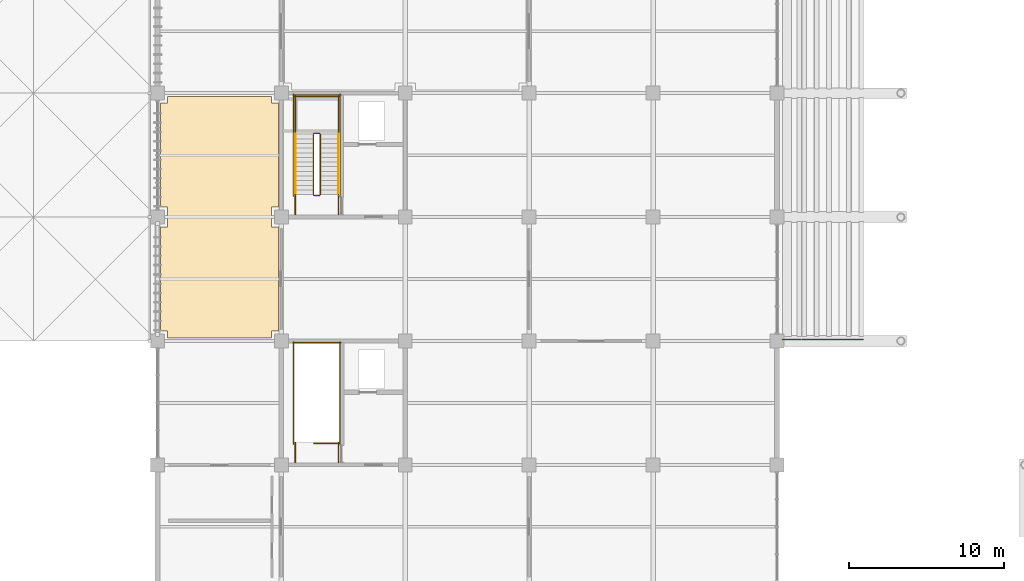
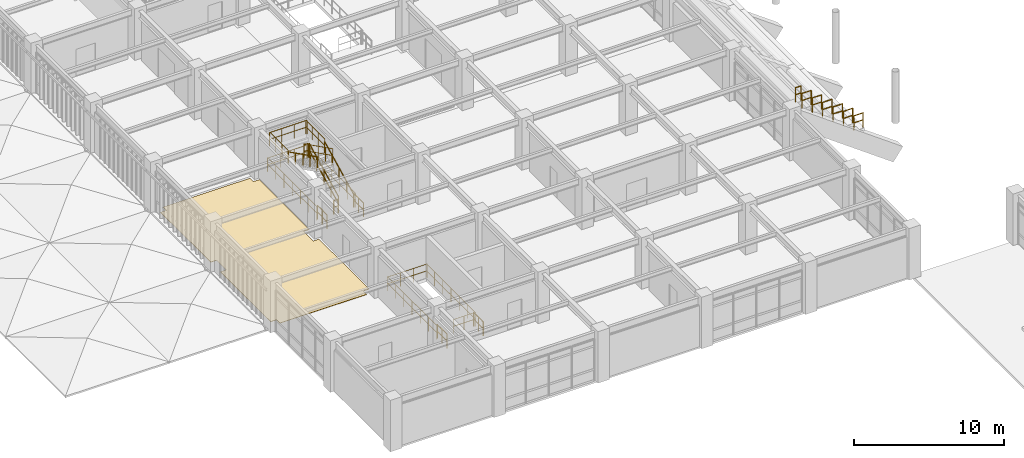
# One storey, part 107 of 118: 27 railings, 1 covering.
"""IFC4 building model written with IfcOpenShell, lengths in metres."""

from ifc_helpers import new_model, si_unit, direction, frame, origin, origin_2d, place, context, subcontext, project, spatial, polyline, circle, outline, extrude, material, layer, layer_set, type_object, element, save


model = new_model("IFC4")

# Units and contexts
model_context = context("Model", 3, precision=1e-05, world=origin(), true_north=direction((0.0, 1.0)))
body_context = subcontext(model_context, "Body", "Model", "MODEL_VIEW")
ifc_project = project(units=[si_unit("LENGTHUNIT", "METRE"), si_unit("AREAUNIT", "SQUARE_METRE"), si_unit("VOLUMEUNIT", "CUBIC_METRE"), si_unit("PLANEANGLEUNIT", "RADIAN"), si_unit("MASSUNIT", "GRAM", prefix="KILO")], contexts=[model_context])

# Site, building, storey
site_placement = place(None, origin())
site = spatial("IfcSite", under=ifc_project, at=site_placement, CompositionType="ELEMENT")
building_placement = place(site_placement, origin())
building = spatial("IfcBuilding", under=site, at=building_placement, Name="Haebicheon Civic Stadium", CompositionType="ELEMENT")
storey_placement = place(building_placement, frame((0.0, 0.0, 14.39990234375)))
storey = spatial("IfcBuildingStorey", under=building, at=storey_placement, Name="L04", CompositionType="ELEMENT", Elevation=14.39990234375)

# Covering
ifc_material_1 = material(Name="Quartz epoxy resin mortar", Category="concrete")
ifc_layer = layer(ifc_material_1, 0.030029296875, Name="Quartz epoxy resin mortar")
ifc_layer_set = layer_set([ifc_layer], Name="Quartz epoxy resin mortar")
covering_type = type_object("IfcCoveringType", Name="COV-FLR-EPX", PredefinedType="FLOORING", material=ifc_layer_set)
covering_placement = place(storey_placement, origin())
element("IfcCovering", 1, at=covering_placement, inside=storey, type_object=covering_type, material=ifc_layer_set, Name="L04 Presidential Hospitality Lounge non-slip floor finish", PredefinedType="FLOORING", context=body_context, shape_type="SweptSolid", body=[
    extrude(outline(polyline([(24.64990234375, 48.199951171875), (24.64990234375, 48.64990234375), (24.199951171875, 48.64990234375), (24.199951171875, 55.35009765625), (24.64990234375, 55.35009765625), (24.64990234375, 56.64990234375), (24.199951171875, 56.64990234375), (24.199951171875, 63.35009765625), (24.64990234375, 63.35009765625), (24.64990234375, 63.800048828125), (31.35009765625, 63.800048828125), (31.35009765625, 63.35009765625), (31.800048828125, 63.35009765625), (31.800048828125, 56.64990234375), (31.35009765625, 56.64990234375), (31.35009765625, 55.35009765625), (31.800048828125, 55.35009765625), (31.800048828125, 48.64990234375), (31.35009765625, 48.64990234375), (31.35009765625, 48.199951171875), (24.64990234375, 48.199951171875)])), origin(), (0.0, 0.0, 1.0), 0.030029296875),
])

# Railings
ifc_material_2 = material(Name="Stainless steel 316 and laminated glass", Category="steel")
railing_type_1 = type_object("IfcRailingType", Name="RL-BAL-1200", PredefinedType="BALUSTRADE", material=ifc_material_2)
for number, where, name in (
    (2, (68.840087890625, 48.10009765625, 0.3330078125), "TIER-W-U end-aisle side guard S.4"),
    (3, (68.0400390625, 48.10009765625, 0.97802734375), "TIER-W-U end-aisle side guard S.5"),
    (4, (67.239990234375, 48.10009765625, 1.6220703125), "TIER-W-U end-aisle side guard S.6"),
    (5, (66.43994140625, 48.10009765625, 2.26708984375), "TIER-W-U end-aisle side guard S.7"),
):
    element("IfcRailing", number, at=place(storey_placement, frame(where)), inside=storey, type_object=railing_type_1, material=ifc_material_2, Name=name, PredefinedType="BALUSTRADE", context=body_context, shape_type="SweptSolid", body=[
        extrude(circle(Radius=0.02392578125, at=origin_2d()), frame((0.0, 0.0, 1.17578125), z_axis=(1.0, 0.0, 0.0), x_axis=(0.0, 1.0, 0.0)), (0.0, 0.0, 1.0), 0.719970703125),
        extrude(circle(Radius=0.02392578125, at=origin_2d()), frame((0.0, 0.0, 0.60009765625), z_axis=(1.0, 0.0, 0.0), x_axis=(0.0, 1.0, 0.0)), (0.0, 0.0, 1.0), 0.719970703125),
        extrude(circle(Radius=0.02099609375, at=origin_2d()), origin(), (0.0, 0.0, 1.0), 1.15185546875),
        extrude(circle(Radius=0.02099609375, at=origin_2d()), frame((0.719970703125, 0.0, 0.0)), (0.0, 0.0, 1.0), 1.15185546875),
    ])
railing_1_placement = place(storey_placement, frame((65.639892578125, 48.10009765625, 2.9111328125)))
element("IfcRailing", 6, at=railing_1_placement, inside=storey, type_object=railing_type_1, material=ifc_material_2, Name="TIER-W-U end-aisle side guard S.8", PredefinedType="BALUSTRADE", context=body_context, shape_type="SweptSolid", body=[
    extrude(circle(Radius=0.02392578125, at=origin_2d()), frame((0.0, 0.0, 1.17578125), z_axis=(1.0, 0.0, 0.0), x_axis=(0.0, 1.0, 0.0)), (0.0, 0.0, 1.0), 0.72021484375),
    extrude(circle(Radius=0.02392578125, at=origin_2d()), frame((0.0, 0.0, 0.60009765625), z_axis=(1.0, 0.0, 0.0), x_axis=(0.0, 1.0, 0.0)), (0.0, 0.0, 1.0), 0.72021484375),
    extrude(circle(Radius=0.02099609375, at=origin_2d()), origin(), (0.0, 0.0, 1.0), 1.15185546875),
    extrude(circle(Radius=0.02099609375, at=origin_2d()), frame((0.72021484375, 0.0, 0.0)), (0.0, 0.0, 1.0), 1.15185546875),
])
railing_2_placement = place(storey_placement, frame((64.840087890625, 48.10009765625, 3.55615234375)))
element("IfcRailing", 7, at=railing_2_placement, inside=storey, type_object=railing_type_1, material=ifc_material_2, Name="TIER-W-U end-aisle side guard S.9", PredefinedType="BALUSTRADE", context=body_context, shape_type="SweptSolid", body=[
    extrude(circle(Radius=0.02392578125, at=origin_2d()), frame((0.0, 0.0, 1.17578125), z_axis=(1.0, 0.0, 0.0), x_axis=(0.0, 1.0, 0.0)), (0.0, 0.0, 1.0), 0.719970703125),
    extrude(circle(Radius=0.02392578125, at=origin_2d()), frame((0.0, 0.0, 0.60009765625), z_axis=(1.0, 0.0, 0.0), x_axis=(0.0, 1.0, 0.0)), (0.0, 0.0, 1.0), 0.719970703125),
    extrude(circle(Radius=0.02099609375, at=origin_2d()), origin(), (0.0, 0.0, 1.0), 1.15185546875),
    extrude(circle(Radius=0.02099609375, at=origin_2d()), frame((0.719970703125, 0.0, 0.0)), (0.0, 0.0, 1.0), 1.15185546875),
])
railing_3_placement = place(storey_placement, frame((64.360107421875, 48.10009765625, 4.2001953125)))
element("IfcRailing", 8, at=railing_3_placement, inside=storey, type_object=railing_type_1, material=ifc_material_2, Name="TIER-W-U end-aisle side guard S.10", PredefinedType="BALUSTRADE", context=body_context, shape_type="SweptSolid", body=[
    extrude(circle(Radius=0.02392578125, at=origin_2d()), frame((0.0, 0.0, 1.17578125), z_axis=(1.0, 0.0, 0.0), x_axis=(0.0, 1.0, 0.0)), (0.0, 0.0, 1.0), 0.39990234375),
    extrude(circle(Radius=0.02392578125, at=origin_2d()), frame((0.0, 0.0, 0.60009765625), z_axis=(1.0, 0.0, 0.0), x_axis=(0.0, 1.0, 0.0)), (0.0, 0.0, 1.0), 0.39990234375),
    extrude(circle(Radius=0.02099609375, at=origin_2d()), origin(), (0.0, 0.0, 1.0), 1.15185546875),
    extrude(circle(Radius=0.02099609375, at=origin_2d()), frame((0.39990234375, 0.0, 0.0)), (0.0, 0.0, 1.0), 1.15185546875),
])
ifc_material_3 = material(Name="Galvanised painted steel SM355", Category="steel")
railing_type_2 = type_object("IfcRailingType", Name="RL-GRD-1150", PredefinedType="GUARDRAIL", material=ifc_material_3)
railing_4_placement = place(storey_placement, frame((35.739990234375, 41.39990234375, 0.0)))
element("IfcRailing", 9, at=railing_4_placement, inside=storey, type_object=railing_type_2, material=ifc_material_3, Name="L04 ST-01 top well guard 1", PredefinedType="GUARDRAIL", context=body_context, shape_type="SweptSolid", body=[
    extrude(circle(Radius=0.02392578125, at=origin_2d()), frame((0.0, 0.0, 1.1259765625), z_axis=(-1.0, 0.0, 0.0), x_axis=(0.0, -1.0, 0.0)), (0.0, 0.0, 1.0), 1.639892578125),
    extrude(circle(Radius=0.02392578125, at=origin_2d()), frame((0.0, 0.0, 0.574951171875), z_axis=(-1.0, 0.0, 0.0), x_axis=(0.0, -1.0, 0.0)), (0.0, 0.0, 1.0), 1.639892578125),
    extrude(circle(Radius=0.02099609375, at=origin_2d()), origin(), (0.0, 0.0, 1.0), 1.101806640625),
    extrude(circle(Radius=0.02099609375, at=origin_2d()), frame((-0.81982421875, 0.0, 0.0)), (0.0, 0.0, 1.0), 1.101806640625),
    extrude(circle(Radius=0.02099609375, at=origin_2d()), frame((-1.639892578125, 0.0, 0.0)), (0.0, 0.0, 1.0), 1.101806640625),
])
for number, where, name in (
    (10, (35.7900390625, 41.35009765625, 0.0), "L04 ST-01 top well guard 2"),
    (11, (32.7900390625, 41.35009765625, 0.0), "L04 ST-01 top well guard 3"),
):
    element("IfcRailing", number, at=place(storey_placement, frame(where)), inside=storey, type_object=railing_type_2, material=ifc_material_3, Name=name, PredefinedType="GUARDRAIL", context=body_context, shape_type="SweptSolid", body=[
        extrude(circle(Radius=0.02392578125, at=origin_2d()), frame((0.0, 0.0, 1.1259765625), z_axis=(0.0, 1.0, 0.0), x_axis=(-1.0, 0.0, 0.0)), (0.0, 0.0, 1.0), 6.58984375),
        extrude(circle(Radius=0.02392578125, at=origin_2d()), frame((0.0, 0.0, 0.574951171875), z_axis=(0.0, 1.0, 0.0), x_axis=(-1.0, 0.0, 0.0)), (0.0, 0.0, 1.0), 6.58984375),
        extrude(circle(Radius=0.02099609375, at=origin_2d()), origin(), (0.0, 0.0, 1.0), 1.101806640625),
        extrude(circle(Radius=0.02099609375, at=origin_2d()), frame((0.0, 1.098388671875, 0.0)), (0.0, 0.0, 1.0), 1.101806640625),
        extrude(circle(Radius=0.02099609375, at=origin_2d()), frame((0.0, 2.196533203125, 0.0)), (0.0, 0.0, 1.0), 1.101806640625),
        extrude(circle(Radius=0.02099609375, at=origin_2d()), frame((0.0, 3.294921875, 0.0)), (0.0, 0.0, 1.0), 1.101806640625),
        extrude(circle(Radius=0.02099609375, at=origin_2d()), frame((0.0, 4.393310546875, 0.0)), (0.0, 0.0, 1.0), 1.101806640625),
        extrude(circle(Radius=0.02099609375, at=origin_2d()), frame((0.0, 5.491455078125, 0.0)), (0.0, 0.0, 1.0), 1.101806640625),
        extrude(circle(Radius=0.02099609375, at=origin_2d()), frame((0.0, 6.58984375, 0.0)), (0.0, 0.0, 1.0), 1.101806640625),
    ])
railing_5_placement = place(storey_placement, frame((35.840087890625, 47.889892578125, 0.0)))
element("IfcRailing", 12, at=railing_5_placement, inside=storey, type_object=railing_type_2, material=ifc_material_3, Name="L04 ST-01 top well guard 4", PredefinedType="GUARDRAIL", context=body_context, shape_type="SweptSolid", body=[
    extrude(circle(Radius=0.02392578125, at=origin_2d()), frame((0.0, 0.0, 1.1259765625), z_axis=(-1.0, 0.0, 0.0), x_axis=(0.0, -1.0, 0.0)), (0.0, 0.0, 1.0), 3.10009765625),
    extrude(circle(Radius=0.02392578125, at=origin_2d()), frame((0.0, 0.0, 0.574951171875), z_axis=(-1.0, 0.0, 0.0), x_axis=(0.0, -1.0, 0.0)), (0.0, 0.0, 1.0), 3.10009765625),
    extrude(circle(Radius=0.02099609375, at=origin_2d()), origin(), (0.0, 0.0, 1.0), 1.101806640625),
    extrude(circle(Radius=0.02099609375, at=origin_2d()), frame((-1.033447265625, 0.0, 0.0)), (0.0, 0.0, 1.0), 1.101806640625),
    extrude(circle(Radius=0.02099609375, at=origin_2d()), frame((-2.066650390625, 0.0, 0.0)), (0.0, 0.0, 1.0), 1.101806640625),
    extrude(circle(Radius=0.02099609375, at=origin_2d()), frame((-3.10009765625, 0.0, 0.0)), (0.0, 0.0, 1.0), 1.101806640625),
])
for number, where, name in (
    (13, (35.68994140625, 40.159912109375, 0.0), "L04 ST-01 top well guard 5"),
    (14, (32.889892578125, 40.159912109375, 0.0), "L04 ST-01 top well guard 6"),
):
    element("IfcRailing", number, at=place(storey_placement, frame(where)), inside=storey, type_object=railing_type_2, material=ifc_material_3, Name=name, PredefinedType="GUARDRAIL", context=body_context, shape_type="SweptSolid", body=[
        extrude(circle(Radius=0.02392578125, at=origin_2d()), frame((0.0, 0.0, 1.1259765625), z_axis=(0.0, 1.0, 0.0), x_axis=(-1.0, 0.0, 0.0)), (0.0, 0.0, 1.0), 1.2900390625),
        extrude(circle(Radius=0.02392578125, at=origin_2d()), frame((0.0, 0.0, 0.574951171875), z_axis=(0.0, 1.0, 0.0), x_axis=(-1.0, 0.0, 0.0)), (0.0, 0.0, 1.0), 1.2900390625),
        extrude(circle(Radius=0.02099609375, at=origin_2d()), origin(), (0.0, 0.0, 1.0), 1.101806640625),
        extrude(circle(Radius=0.02099609375, at=origin_2d()), frame((0.0, 0.64501953125, 0.0)), (0.0, 0.0, 1.0), 1.101806640625),
        extrude(circle(Radius=0.02099609375, at=origin_2d()), frame((0.0, 1.2900390625, 0.0)), (0.0, 0.0, 1.0), 1.101806640625),
    ])
railing_6_placement = place(storey_placement, frame((34.510009765625, 57.449951171875, 0.150146484375)))
element("IfcRailing", 15, at=railing_6_placement, inside=storey, type_object=railing_type_2, material=ifc_material_3, Name="L04 ST-02 stair guard 1", PredefinedType="GUARDRAIL", context=body_context, shape_type="SweptSolid", body=[
    extrude(circle(Radius=0.02392578125, at=origin_2d()), frame((0.0, 0.0, 1.1259765625), z_axis=(0.0, 0.894438388696, 0.447191199406), x_axis=(-1.0, 0.0, 0.0)), (0.0, 0.0, 1.0), 4.3603515625),
    extrude(circle(Radius=0.02392578125, at=origin_2d()), frame((0.0, 0.0, 0.574951171875), z_axis=(0.0, 0.894438388696, 0.447191199406), x_axis=(-1.0, 0.0, 0.0)), (0.0, 0.0, 1.0), 4.3603515625),
    extrude(circle(Radius=0.02099609375, at=origin_2d()), origin(), (0.0, 0.0, 1.0), 1.101806640625),
    extrude(circle(Radius=0.02099609375, at=origin_2d()), frame((0.0, 0.97509765625, 0.487548828125)), (0.0, 0.0, 1.0), 1.101806640625),
    extrude(circle(Radius=0.02099609375, at=origin_2d()), frame((0.0, 1.9501953125, 0.97509765625)), (0.0, 0.0, 1.0), 1.101806640625),
    extrude(circle(Radius=0.02099609375, at=origin_2d()), frame((0.0, 2.925048828125, 1.46240234375)), (0.0, 0.0, 1.0), 1.101806640625),
    extrude(circle(Radius=0.02099609375, at=origin_2d()), frame((0.0, 3.900146484375, 1.949951171875)), (0.0, 0.0, 1.0), 1.101806640625),
])
railing_7_placement = place(storey_placement, frame((34.4599609375, 61.39990234375, 2.10009765625)))
element("IfcRailing", 16, at=railing_7_placement, inside=storey, type_object=railing_type_2, material=ifc_material_3, Name="L04 ST-02 stair guard 2", PredefinedType="GUARDRAIL", context=body_context, shape_type="SweptSolid", body=[
    extrude(circle(Radius=0.02392578125, at=origin_2d()), frame((0.0, 0.0, 1.1259765625), z_axis=(-1.0, 0.0, 0.0), x_axis=(0.0, -1.0, 0.0)), (0.0, 0.0, 1.0), 0.33984375),
    extrude(circle(Radius=0.02392578125, at=origin_2d()), frame((0.0, 0.0, 0.574951171875), z_axis=(-1.0, 0.0, 0.0), x_axis=(0.0, -1.0, 0.0)), (0.0, 0.0, 1.0), 0.33984375),
    extrude(circle(Radius=0.02099609375, at=origin_2d()), origin(), (0.0, 0.0, 1.0), 1.101806640625),
    extrude(circle(Radius=0.02099609375, at=origin_2d()), frame((-0.33984375, 0.0, 0.0)), (0.0, 0.0, 1.0), 1.101806640625),
])
for number, where, name in (
    (17, (35.68994140625, 61.35009765625, 2.10009765625), "L04 ST-02 stair guard 3"),
    (18, (32.889892578125, 61.35009765625, 2.10009765625), "L04 ST-02 stair guard 4"),
):
    element("IfcRailing", number, at=place(storey_placement, frame(where)), inside=storey, type_object=railing_type_2, material=ifc_material_3, Name=name, PredefinedType="GUARDRAIL", context=body_context, shape_type="SweptSolid", body=[
        extrude(circle(Radius=0.02392578125, at=origin_2d()), frame((0.0, 0.0, 1.1259765625), z_axis=(0.0, 1.0, 0.0), x_axis=(-1.0, 0.0, 0.0)), (0.0, 0.0, 1.0), 2.489990234375),
        extrude(circle(Radius=0.02392578125, at=origin_2d()), frame((0.0, 0.0, 0.574951171875), z_axis=(0.0, 1.0, 0.0), x_axis=(-1.0, 0.0, 0.0)), (0.0, 0.0, 1.0), 2.489990234375),
        extrude(circle(Radius=0.02099609375, at=origin_2d()), origin(), (0.0, 0.0, 1.0), 1.101806640625),
        extrude(circle(Radius=0.02099609375, at=origin_2d()), frame((0.0, 0.830078125, 0.0)), (0.0, 0.0, 1.0), 1.101806640625),
        extrude(circle(Radius=0.02099609375, at=origin_2d()), frame((0.0, 1.659912109375, 0.0)), (0.0, 0.0, 1.0), 1.101806640625),
        extrude(circle(Radius=0.02099609375, at=origin_2d()), frame((0.0, 2.489990234375, 0.0)), (0.0, 0.0, 1.0), 1.101806640625),
    ])
railing_8_placement = place(storey_placement, frame((35.739990234375, 63.7900390625, 2.10009765625)))
element("IfcRailing", 19, at=railing_8_placement, inside=storey, type_object=railing_type_2, material=ifc_material_3, Name="L04 ST-02 stair guard 5", PredefinedType="GUARDRAIL", context=body_context, shape_type="SweptSolid", body=[
    extrude(circle(Radius=0.02392578125, at=origin_2d()), frame((0.0, 0.0, 1.1259765625), z_axis=(-1.0, 0.0, 0.0), x_axis=(0.0, -1.0, 0.0)), (0.0, 0.0, 1.0), 2.89990234375),
    extrude(circle(Radius=0.02392578125, at=origin_2d()), frame((0.0, 0.0, 0.574951171875), z_axis=(-1.0, 0.0, 0.0), x_axis=(0.0, -1.0, 0.0)), (0.0, 0.0, 1.0), 2.89990234375),
    extrude(circle(Radius=0.02099609375, at=origin_2d()), origin(), (0.0, 0.0, 1.0), 1.101806640625),
    extrude(circle(Radius=0.02099609375, at=origin_2d()), frame((-0.966552734375, 0.0, 0.0)), (0.0, 0.0, 1.0), 1.101806640625),
    extrude(circle(Radius=0.02099609375, at=origin_2d()), frame((-1.933349609375, 0.0, 0.0)), (0.0, 0.0, 1.0), 1.101806640625),
    extrude(circle(Radius=0.02099609375, at=origin_2d()), frame((-2.89990234375, 0.0, 0.0)), (0.0, 0.0, 1.0), 1.101806640625),
])
railing_9_placement = place(storey_placement, frame((34.070068359375, 61.35009765625, 2.25)))
element("IfcRailing", 20, at=railing_9_placement, inside=storey, type_object=railing_type_2, material=ifc_material_3, Name="L04 ST-02 stair guard 6", PredefinedType="GUARDRAIL", context=body_context, shape_type="SweptSolid", body=[
    extrude(circle(Radius=0.02392578125, at=origin_2d()), frame((0.0, 0.0, 1.1259765625), z_axis=(0.0, -0.894415993023, 0.447235990752), x_axis=(1.0, 0.0, 0.0)), (0.0, 0.0, 1.0), 4.360595703125),
    extrude(circle(Radius=0.02392578125, at=origin_2d()), frame((0.0, 0.0, 0.574951171875), z_axis=(0.0, -0.894415993023, 0.447235990752), x_axis=(1.0, 0.0, 0.0)), (0.0, 0.0, 1.0), 4.360595703125),
    extrude(circle(Radius=0.02099609375, at=origin_2d()), origin(), (0.0, 0.0, 1.0), 1.101806640625),
    extrude(circle(Radius=0.02099609375, at=origin_2d()), frame((0.0, -0.97509765625, 0.487548828125)), (0.0, 0.0, 1.0), 1.101806640625),
    extrude(circle(Radius=0.02099609375, at=origin_2d()), frame((0.0, -1.9501953125, 0.97509765625)), (0.0, 0.0, 1.0), 1.101806640625),
    extrude(circle(Radius=0.02099609375, at=origin_2d()), frame((0.0, -2.925048828125, 1.462646484375)), (0.0, 0.0, 1.0), 1.101806640625),
    extrude(circle(Radius=0.02099609375, at=origin_2d()), frame((0.0, -3.900146484375, 1.9501953125)), (0.0, 0.0, 1.0), 1.101806640625),
])
railing_10_placement = place(storey_placement, frame((34.4599609375, 57.39990234375, 0.0)))
element("IfcRailing", 21, at=railing_10_placement, inside=storey, type_object=railing_type_2, material=ifc_material_3, Name="L04 ST-02 stair guard 7", PredefinedType="GUARDRAIL", context=body_context, shape_type="SweptSolid", body=[
    extrude(circle(Radius=0.02392578125, at=origin_2d()), frame((0.0, 0.0, 1.1259765625), z_axis=(-1.0, 0.0, 0.0), x_axis=(0.0, -1.0, 0.0)), (0.0, 0.0, 1.0), 0.33984375),
    extrude(circle(Radius=0.02392578125, at=origin_2d()), frame((0.0, 0.0, 0.574951171875), z_axis=(-1.0, 0.0, 0.0), x_axis=(0.0, -1.0, 0.0)), (0.0, 0.0, 1.0), 0.33984375),
    extrude(circle(Radius=0.02099609375, at=origin_2d()), origin(), (0.0, 0.0, 1.0), 1.101806640625),
    extrude(circle(Radius=0.02099609375, at=origin_2d()), frame((-0.33984375, 0.0, 0.0)), (0.0, 0.0, 1.0), 1.101806640625),
])
for number, where, name in (
    (22, (35.68994140625, 56.159912109375, 0.0), "L04 ST-02 stair guard 8"),
    (23, (32.889892578125, 56.159912109375, 0.0), "L04 ST-02 stair guard 9"),
):
    element("IfcRailing", number, at=place(storey_placement, frame(where)), inside=storey, type_object=railing_type_2, material=ifc_material_3, Name=name, PredefinedType="GUARDRAIL", context=body_context, shape_type="SweptSolid", body=[
        extrude(circle(Radius=0.02392578125, at=origin_2d()), frame((0.0, 0.0, 1.1259765625), z_axis=(0.0, 1.0, 0.0), x_axis=(-1.0, 0.0, 0.0)), (0.0, 0.0, 1.0), 1.2900390625),
        extrude(circle(Radius=0.02392578125, at=origin_2d()), frame((0.0, 0.0, 0.574951171875), z_axis=(0.0, 1.0, 0.0), x_axis=(-1.0, 0.0, 0.0)), (0.0, 0.0, 1.0), 1.2900390625),
        extrude(circle(Radius=0.02099609375, at=origin_2d()), origin(), (0.0, 0.0, 1.0), 1.101806640625),
        extrude(circle(Radius=0.02099609375, at=origin_2d()), frame((0.0, 0.64501953125, 0.0)), (0.0, 0.0, 1.0), 1.101806640625),
        extrude(circle(Radius=0.02099609375, at=origin_2d()), frame((0.0, 1.2900390625, 0.0)), (0.0, 0.0, 1.0), 1.101806640625),
    ])
for number, where, name in (
    (24, (35.7900390625, 57.35009765625, 0.0), "L04 ST-02 stair guard 10"),
    (25, (32.7900390625, 57.35009765625, 0.0), "L04 ST-02 stair guard 11"),
):
    element("IfcRailing", number, at=place(storey_placement, frame(where)), inside=storey, type_object=railing_type_2, material=ifc_material_3, Name=name, PredefinedType="GUARDRAIL", context=body_context, shape_type="SweptSolid", body=[
        extrude(circle(Radius=0.02392578125, at=origin_2d()), frame((0.0, 0.0, 1.1259765625), z_axis=(0.0, 1.0, 0.0), x_axis=(-1.0, 0.0, 0.0)), (0.0, 0.0, 1.0), 6.58984375),
        extrude(circle(Radius=0.02392578125, at=origin_2d()), frame((0.0, 0.0, 0.574951171875), z_axis=(0.0, 1.0, 0.0), x_axis=(-1.0, 0.0, 0.0)), (0.0, 0.0, 1.0), 6.58984375),
        extrude(circle(Radius=0.02099609375, at=origin_2d()), origin(), (0.0, 0.0, 1.0), 1.101806640625),
        extrude(circle(Radius=0.02099609375, at=origin_2d()), frame((0.0, 1.098388671875, 0.0)), (0.0, 0.0, 1.0), 1.101806640625),
        extrude(circle(Radius=0.02099609375, at=origin_2d()), frame((0.0, 2.196533203125, 0.0)), (0.0, 0.0, 1.0), 1.101806640625),
        extrude(circle(Radius=0.02099609375, at=origin_2d()), frame((0.0, 3.294921875, 0.0)), (0.0, 0.0, 1.0), 1.101806640625),
        extrude(circle(Radius=0.02099609375, at=origin_2d()), frame((0.0, 4.393310546875, 0.0)), (0.0, 0.0, 1.0), 1.101806640625),
        extrude(circle(Radius=0.02099609375, at=origin_2d()), frame((0.0, 5.491455078125, 0.0)), (0.0, 0.0, 1.0), 1.101806640625),
        extrude(circle(Radius=0.02099609375, at=origin_2d()), frame((0.0, 6.58984375, 0.0)), (0.0, 0.0, 1.0), 1.101806640625),
    ])
railing_11_placement = place(storey_placement, frame((35.840087890625, 63.889892578125, 0.0)))
element("IfcRailing", 26, at=railing_11_placement, inside=storey, type_object=railing_type_2, material=ifc_material_3, Name="L04 ST-02 stair guard 12", PredefinedType="GUARDRAIL", context=body_context, shape_type="SweptSolid", body=[
    extrude(circle(Radius=0.02392578125, at=origin_2d()), frame((0.0, 0.0, 1.1259765625), z_axis=(-1.0, 0.0, 0.0), x_axis=(0.0, -1.0, 0.0)), (0.0, 0.0, 1.0), 3.10009765625),
    extrude(circle(Radius=0.02392578125, at=origin_2d()), frame((0.0, 0.0, 0.574951171875), z_axis=(-1.0, 0.0, 0.0), x_axis=(0.0, -1.0, 0.0)), (0.0, 0.0, 1.0), 3.10009765625),
    extrude(circle(Radius=0.02099609375, at=origin_2d()), origin(), (0.0, 0.0, 1.0), 1.101806640625),
    extrude(circle(Radius=0.02099609375, at=origin_2d()), frame((-1.033447265625, 0.0, 0.0)), (0.0, 0.0, 1.0), 1.101806640625),
    extrude(circle(Radius=0.02099609375, at=origin_2d()), frame((-2.066650390625, 0.0, 0.0)), (0.0, 0.0, 1.0), 1.101806640625),
    extrude(circle(Radius=0.02099609375, at=origin_2d()), frame((-3.10009765625, 0.0, 0.0)), (0.0, 0.0, 1.0), 1.101806640625),
])
ifc_material_4 = material(Name="Stainless steel 316", Category="steel")
railing_type_3 = type_object("IfcRailingType", Name="RL-HND-900", PredefinedType="HANDRAIL", material=ifc_material_4)
railing_12_placement = place(storey_placement, frame((35.68994140625, 57.449951171875, 0.150146484375)))
element("IfcRailing", 27, at=railing_12_placement, inside=storey, type_object=railing_type_3, material=ifc_material_4, Name="L04 ST-02 stair handrail 1", PredefinedType="HANDRAIL", context=body_context, shape_type="SweptSolid", body=[
    extrude(circle(Radius=0.02392578125, at=origin_2d()), frame((0.0, 0.0, 0.8759765625), z_axis=(0.0, 0.894438388696, 0.447191199406), x_axis=(-1.0, 0.0, 0.0)), (0.0, 0.0, 1.0), 4.3603515625),
    extrude(circle(Radius=0.02099609375, at=origin_2d()), origin(), (0.0, 0.0, 1.0), 0.851806640625),
    extrude(circle(Radius=0.02099609375, at=origin_2d()), frame((0.0, 0.97509765625, 0.487548828125)), (0.0, 0.0, 1.0), 0.851806640625),
    extrude(circle(Radius=0.02099609375, at=origin_2d()), frame((0.0, 1.9501953125, 0.97509765625)), (0.0, 0.0, 1.0), 0.851806640625),
    extrude(circle(Radius=0.02099609375, at=origin_2d()), frame((0.0, 2.925048828125, 1.46240234375)), (0.0, 0.0, 1.0), 0.851806640625),
    extrude(circle(Radius=0.02099609375, at=origin_2d()), frame((0.0, 3.900146484375, 1.949951171875)), (0.0, 0.0, 1.0), 0.851806640625),
])
railing_13_placement = place(storey_placement, frame((32.889892578125, 61.35009765625, 2.25)))
element("IfcRailing", 28, at=railing_13_placement, inside=storey, type_object=railing_type_3, material=ifc_material_4, Name="L04 ST-02 stair handrail 2", PredefinedType="HANDRAIL", context=body_context, shape_type="SweptSolid", body=[
    extrude(circle(Radius=0.02392578125, at=origin_2d()), frame((0.0, 0.0, 0.8759765625), z_axis=(0.0, -0.894415993023, 0.447235990752), x_axis=(1.0, 0.0, 0.0)), (0.0, 0.0, 1.0), 4.360595703125),
    extrude(circle(Radius=0.02099609375, at=origin_2d()), origin(), (0.0, 0.0, 1.0), 0.851806640625),
    extrude(circle(Radius=0.02099609375, at=origin_2d()), frame((0.0, -0.97509765625, 0.487548828125)), (0.0, 0.0, 1.0), 0.851806640625),
    extrude(circle(Radius=0.02099609375, at=origin_2d()), frame((0.0, -1.9501953125, 0.97509765625)), (0.0, 0.0, 1.0), 0.851806640625),
    extrude(circle(Radius=0.02099609375, at=origin_2d()), frame((0.0, -2.925048828125, 1.462646484375)), (0.0, 0.0, 1.0), 0.851806640625),
    extrude(circle(Radius=0.02099609375, at=origin_2d()), frame((0.0, -3.900146484375, 1.9501953125)), (0.0, 0.0, 1.0), 0.851806640625),
])

save(model, "model.ifc")
